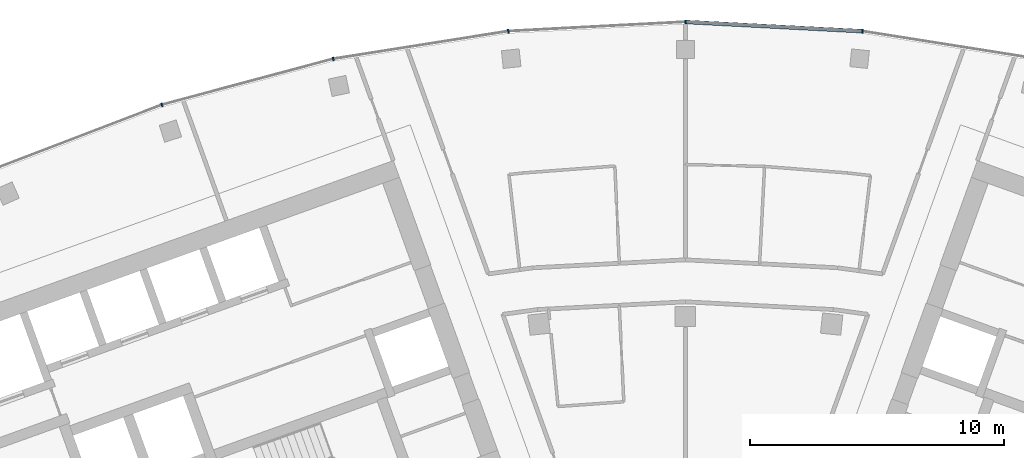
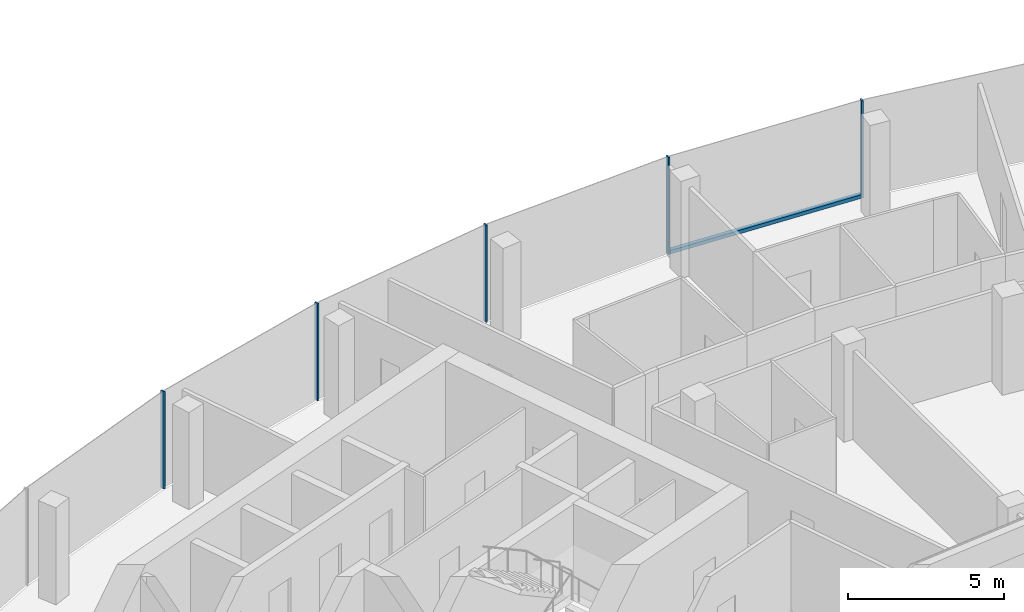
# One storey, part 6 of 18: 6 members, 1 element without a shape of its own.
"""IFC4 building model written with IfcOpenShell, lengths in metres."""

from ifc_helpers import new_model, si_unit, direction, frame, origin, origin_2d, place, context, subcontext, project, spatial, rectangle, extrude, material, layer, layer_set, material_profile, profile_set, type_object, element, aggregate, save


model = new_model("IFC4")

# Units and contexts
model_context = context("Model", 3, precision=1e-05, world=origin(), true_north=direction((0.0, 1.0)))
body_context = subcontext(model_context, "Body", "Model", "MODEL_VIEW")
ifc_project = project(units=[si_unit("LENGTHUNIT", "METRE"), si_unit("AREAUNIT", "SQUARE_METRE"), si_unit("VOLUMEUNIT", "CUBIC_METRE"), si_unit("PLANEANGLEUNIT", "RADIAN"), si_unit("MASSUNIT", "GRAM", prefix="KILO")], contexts=[model_context])

# Site, building, storey
site_placement = place(None, origin())
site = spatial("IfcSite", under=ifc_project, at=site_placement, CompositionType="ELEMENT")
building_placement = place(site_placement, origin())
building = spatial("IfcBuilding", under=site, at=building_placement, Name="Stone Belt Terrace Tower", CompositionType="ELEMENT")
storey_placement = place(building_placement, frame((0.0, 0.0, 284.60009765625)))
storey = spatial("IfcBuildingStorey", under=building, at=storey_placement, Name="L69", CompositionType="ELEMENT", Elevation=284.60009765625)

# Curtain wall, members
ifc_material = material(Name="Aluminium 6063-T6 anodised frame", Category="aluminium")
ifc_layer = layer(ifc_material, 0.14990234375)
ifc_layer_set = layer_set([ifc_layer], Name="CW-A unitised convex-face curtain wall")
curtain_wall_type = type_object("IfcCurtainWallType", Name="CW-A unitised convex-face curtain wall", PredefinedType="NOTDEFINED", material=ifc_layer_set)
curtain_wall_placement = place(storey_placement, origin())
curtain_wall = element("IfcCurtainWall", 1, at=curtain_wall_placement, inside=storey, type_object=curtain_wall_type, Name="CW-A convex face L69", PredefinedType="NOTDEFINED")
ifc_material_profile_1 = material_profile(ifc_material, rectangle(XDim=0.14990234375, YDim=0.06005859375, at=origin_2d()), Name="Aluminium 6063-T6 60x150")
ifc_profile_set_1 = profile_set([ifc_material_profile_1], Name="Aluminium 6063-T6 anodised frame")
member_type_1 = type_object("IfcMemberType", Name="CW-A mullion 60 x 150", PredefinedType="MULLION", material=ifc_profile_set_1)
member_1_placement = place(storey_placement, frame((6.958984375, 66.21044921875, 0.0), z_axis=(0.0, 0.0, 1.0), x_axis=(-0.104528463268, -0.994521895368, 0.0)))
member_1 = element("IfcMember", 2, at=member_1_placement, type_object=member_type_1, Name="CW-A mullion 7", PredefinedType="MULLION", context=body_context, shape_type="SweptSolid", body=[
    extrude(rectangle(XDim=0.14990234375, YDim=0.06005859375, at=origin_2d()), origin(), (0.0, 0.0, 1.0), 3.7998046875),
])
member_2_placement = place(storey_placement, frame((0.0, 66.5751953125, 0.0), z_axis=(0.0, 0.0, 1.0), x_axis=(0.0, -1.0, 0.0)))
member_2 = element("IfcMember", 3, at=member_2_placement, type_object=member_type_1, Name="CW-A mullion 8", PredefinedType="MULLION", context=body_context, shape_type="SweptSolid", body=[
    extrude(rectangle(XDim=0.14990234375, YDim=0.06005859375, at=origin_2d()), origin(), (0.0, 0.0, 1.0), 3.7998046875),
])
member_3_placement = place(storey_placement, frame((-6.958984375, 66.21044921875, 0.0), z_axis=(0.0, 0.0, 1.0), x_axis=(0.104528463268, -0.994521895368, 0.0)))
member_3 = element("IfcMember", 4, at=member_3_placement, type_object=member_type_1, Name="CW-A mullion 9", PredefinedType="MULLION", context=body_context, shape_type="SweptSolid", body=[
    extrude(rectangle(XDim=0.14990234375, YDim=0.06005859375, at=origin_2d()), origin(), (0.0, 0.0, 1.0), 3.7998046875),
])
member_4_placement = place(storey_placement, frame((-13.841796875, 65.120361328125, 0.0), z_axis=(0.0, 0.0, 1.0), x_axis=(0.207911690818, -0.978147600734, 0.0)))
member_4 = element("IfcMember", 5, at=member_4_placement, type_object=member_type_1, Name="CW-A mullion 10", PredefinedType="MULLION", context=body_context, shape_type="SweptSolid", body=[
    extrude(rectangle(XDim=0.14990234375, YDim=0.06005859375, at=origin_2d()), origin(), (0.0, 0.0, 1.0), 3.7998046875),
])
member_5_placement = place(storey_placement, frame((-20.57275390625, 63.316650390625, 0.0), z_axis=(0.0, 0.0, 1.0), x_axis=(0.309016994375, -0.951056516295, 0.0)))
member_5 = element("IfcMember", 6, at=member_5_placement, type_object=member_type_1, Name="CW-A mullion 11", PredefinedType="MULLION", context=body_context, shape_type="SweptSolid", body=[
    extrude(rectangle(XDim=0.14990234375, YDim=0.06005859375, at=origin_2d()), origin(), (0.0, 0.0, 1.0), 3.7998046875),
])
ifc_material_profile_2 = material_profile(ifc_material, rectangle(XDim=0.14990234375, YDim=0.139892578125, at=origin_2d()), Name="Aluminium 6063-T6 150x140")
ifc_profile_set_2 = profile_set([ifc_material_profile_2], Name="Aluminium 6063-T6 anodised frame")
member_type_2 = type_object("IfcMemberType", Name="CW-A transom 140 x 150", PredefinedType="USERDEFINED", material=ifc_profile_set_2)
member_6_placement = place(storey_placement, frame((6.925048828125, 66.212158203125, 0.06982421875), z_axis=(-0.998630019135, 0.052326712899, 0.0), x_axis=(-0.052326712899, -0.998630019135, 0.0)))
member_6 = element("IfcMember", 7, at=member_6_placement, type_object=member_type_2, Name="CW-A transom 7.1", ObjectType="TRANSOM", PredefinedType="USERDEFINED", context=body_context, shape_type="SweptSolid", body=[
    extrude(rectangle(XDim=0.14990234375, YDim=0.139892578125, at=origin_2d()), origin(), (0.0, 0.0, 1.0), 6.900634765625),
])
aggregate(curtain_wall, [member_1, member_2, member_3, member_4, member_5, member_6])

save(model, "model.ifc")
